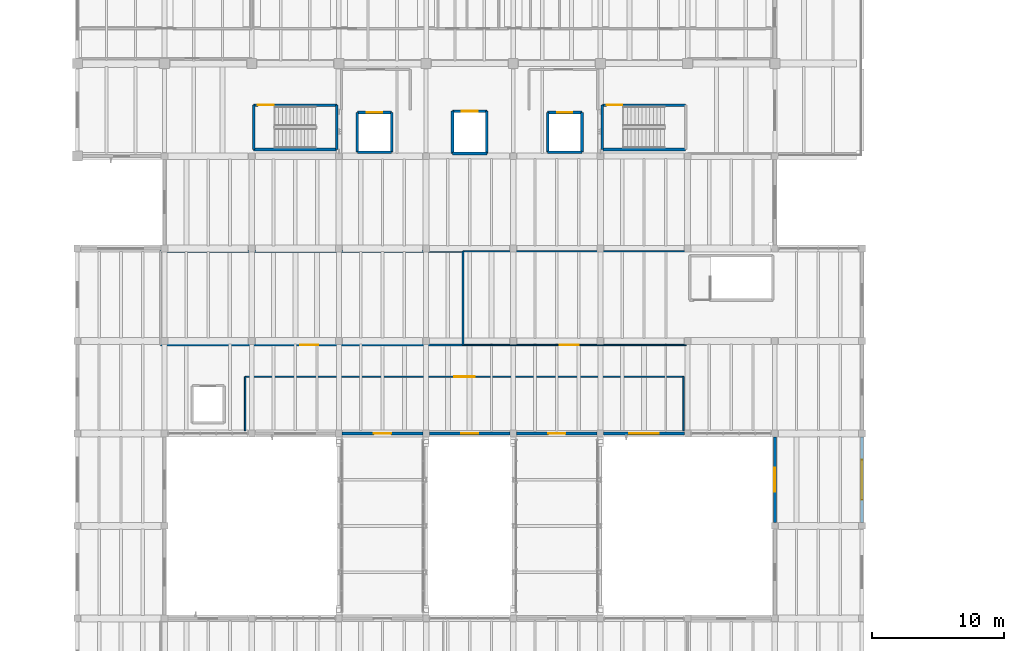
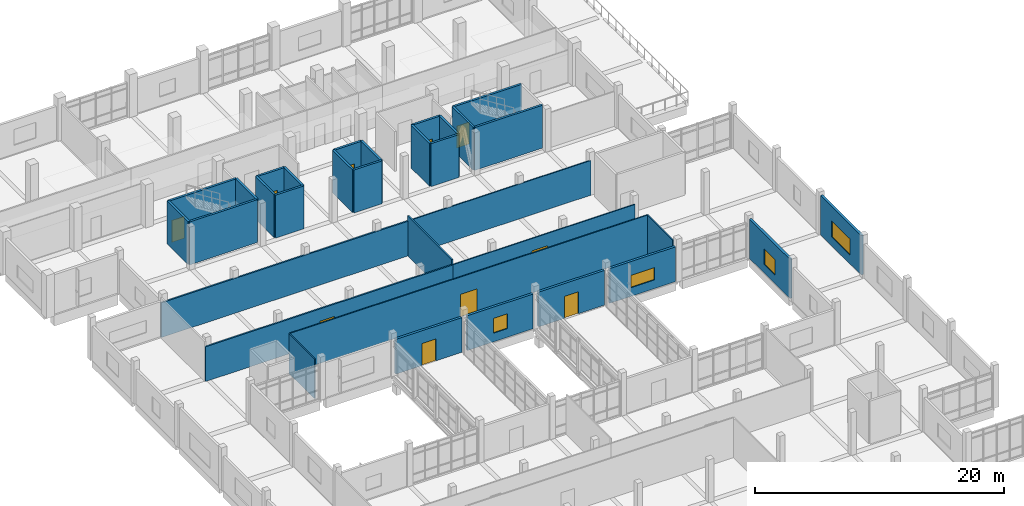
# One storey, part 51 of 65: 33 walls, 10 doors, 4 windows, 14 openings.
"""IFC4 building model written with IfcOpenShell, lengths in metres."""

from ifc_helpers import new_model, si_unit, direction, frame, frame_2d, origin, place, context, subcontext, project, spatial, rectangle, extrude, material, layer, layer_set, type_object, element, fill, save


model = new_model("IFC4")

# Units and contexts
model_context = context("Model", 3, precision=1e-05, world=origin(), true_north=direction((0.0, 1.0)))
body_context = subcontext(model_context, "Body", "Model", "MODEL_VIEW")
ifc_project = project(units=[si_unit("LENGTHUNIT", "METRE"), si_unit("AREAUNIT", "SQUARE_METRE"), si_unit("VOLUMEUNIT", "CUBIC_METRE"), si_unit("PLANEANGLEUNIT", "RADIAN"), si_unit("MASSUNIT", "GRAM", prefix="KILO")], contexts=[model_context])

# Site, building, storey
site_placement = place(None, origin())
site = spatial("IfcSite", under=ifc_project, at=site_placement, CompositionType="ELEMENT")
building_placement = place(site_placement, origin())
building = spatial("IfcBuilding", under=site, at=building_placement, Name="Ciguamira Faculty of Natural Sciences", CompositionType="ELEMENT")
storey_placement = place(building_placement, frame((0.0, 0.0, 12.60009765625)))
storey = spatial("IfcBuildingStorey", under=building, at=storey_placement, Name="L03", CompositionType="ELEMENT", Elevation=12.60009765625)

# Wall, opening, door
ifc_material_1 = material(Name="Precast concrete C40/50", Category="concrete")
ifc_layer_1 = layer(ifc_material_1, 0.219970703125, Name="Precast concrete C40/50")
ifc_layer_set_1 = layer_set([ifc_layer_1], Name="Precast concrete C40/50")
wall_type_1 = type_object("IfcWallType", Name="ExtWall_EW-03_220", PredefinedType="SOLIDWALL", material=ifc_layer_set_1)
wall_1_placement = place(storey_placement, frame((77.35009765625, 73.0, 0.0), z_axis=(0.0, 0.0, 1.0), x_axis=(1.0, 0.0, 0.0)))
wall_1 = element("IfcWall", 1, at=wall_1_placement, inside=storey, type_object=wall_type_1, Name="L03 exterior wall 0277", PredefinedType="SOLIDWALL", context=body_context, shape_type="SweptSolid", body=[
    extrude(rectangle(XDim=6.099853515625, YDim=0.219970703125, at=frame_2d((3.0498046875, 0.0))), origin(), (0.0, 0.0, 1.0), 3.40478515625),
])
opening_1_placement = place(wall_1_placement, frame((2.39990234375, 0.0, 0.0)))
opening_1 = element("IfcOpeningElement", 2, at=opening_1_placement, cuts=wall_1, Name="Opening ED-08", PredefinedType="OPENING", context=body_context, shape_type="SweptSolid", body=[
    extrude(rectangle(XDim=1.300048828125, YDim=2.14990234375, at=frame_2d((0.64990234375, 1.074951171875))), frame((0.0, 0.119873046875, 0.0), z_axis=(0.0, -1.0, 0.0), x_axis=(1.0, 0.0, 0.0)), (0.0, 0.0, 1.0), 0.239990234375),
])
ifc_material_2 = material(Name="Link bridge fire threshold door")
door_type_1 = type_object("IfcDoorType", Name="ExtDoor_ED-08_1300x2150", OperationType="NOTDEFINED", PredefinedType="DOOR", material=ifc_material_2)
door_1_placement = place(opening_1_placement, frame((1.300048828125, 0.0, 0.0), z_axis=(0.0, 0.0, 1.0), x_axis=(-1.0, 0.0, 0.0)))
door_1 = element("IfcDoor", 3, at=door_1_placement, inside=storey, type_object=door_type_1, Name="Bridge BR-3 North Threshold Door", OperationType="DOUBLE_DOOR_SINGLE_SWING", OverallHeight=2.14990234375, OverallWidth=1.300048828125, PredefinedType="DOOR", context=body_context, shape_type="SweptSolid", body=[
    extrude(rectangle(XDim=1.300048828125, YDim=2.14990234375, at=frame_2d((0.64990234375, 1.074951171875))), frame((0.0, 0.02490234375, 0.0), z_axis=(0.0, -1.0, 0.0), x_axis=(1.0, 0.0, 0.0)), (0.0, 0.0, 1.0), 0.050048828125),
])
fill(opening_1, door_1)

# Wall, opening, window
wall_2_placement = place(storey_placement, frame((83.949951171875, 73.0, 0.0), z_axis=(0.0, 0.0, 1.0), x_axis=(1.0, 0.0, 0.0)))
wall_2 = element("IfcWall", 4, at=wall_2_placement, inside=storey, type_object=wall_type_1, Name="L03 exterior wall 0278", PredefinedType="SOLIDWALL", context=body_context, shape_type="SweptSolid", body=[
    extrude(rectangle(XDim=6.10009765625, YDim=0.219970703125, at=frame_2d((3.050048828125, 0.0))), origin(), (0.0, 0.0, 1.0), 3.40478515625),
])
opening_2_placement = place(wall_2_placement, frame((2.39990234375, 0.0, 0.85009765625)))
opening_2 = element("IfcOpeningElement", 5, at=opening_2_placement, cuts=wall_2, Name="Opening WT-28", PredefinedType="OPENING", context=body_context, shape_type="SweptSolid", body=[
    extrude(rectangle(XDim=1.300048828125, YDim=1.449951171875, at=frame_2d((0.64990234375, 0.72509765625))), frame((0.0, 0.119873046875, 0.0), z_axis=(0.0, -1.0, 0.0), x_axis=(1.0, 0.0, 0.0)), (0.0, 0.0, 1.0), 0.239990234375),
])
ifc_material_3 = material(Name="Hurricane laminated solar glass", Category="glass")
window_type_1 = type_object("IfcWindowType", Name="Window_WT-28_1300x1450", PartitioningType="DOUBLE_PANEL_VERTICAL", PredefinedType="WINDOW", material=ifc_material_3)
window_1_placement = place(opening_2_placement, origin())
window_1 = element("IfcWindow", 6, at=window_1_placement, inside=storey, type_object=window_type_1, Name="L03 facade window 0175", OverallHeight=1.449951171875, OverallWidth=1.300048828125, PartitioningType="SINGLE_PANEL", PredefinedType="WINDOW", context=body_context, shape_type="SweptSolid", body=[
    extrude(rectangle(XDim=1.300048828125, YDim=1.449951171875, at=frame_2d((0.64990234375, 0.72509765625))), frame((0.0, 0.030029296875, 0.0), z_axis=(0.0, -1.0, 0.0), x_axis=(1.0, 0.0, 0.0)), (0.0, 0.0, 1.0), 0.06005859375),
])
fill(opening_2, window_1)

# Wall, opening, door
wall_3_placement = place(storey_placement, frame((90.550048828125, 73.0, 0.0), z_axis=(0.0, 0.0, 1.0), x_axis=(1.0, 0.0, 0.0)))
wall_3 = element("IfcWall", 7, at=wall_3_placement, inside=storey, type_object=wall_type_1, Name="L03 exterior wall 0279", PredefinedType="SOLIDWALL", context=body_context, shape_type="SweptSolid", body=[
    extrude(rectangle(XDim=6.099853515625, YDim=0.219970703125, at=frame_2d((3.0498046875, 0.0))), origin(), (0.0, 0.0, 1.0), 3.40478515625),
])
opening_3_placement = place(wall_3_placement, frame((2.39990234375, 0.0, 0.0)))
opening_3 = element("IfcOpeningElement", 8, at=opening_3_placement, cuts=wall_3, Name="Opening ED-08", PredefinedType="OPENING", context=body_context, shape_type="SweptSolid", body=[
    extrude(rectangle(XDim=1.300048828125, YDim=2.14990234375, at=frame_2d((0.64990234375, 1.074951171875))), frame((0.0, 0.119873046875, 0.0), z_axis=(0.0, -1.0, 0.0), x_axis=(1.0, 0.0, 0.0)), (0.0, 0.0, 1.0), 0.239990234375),
])
door_2_placement = place(opening_3_placement, frame((1.300048828125, 0.0, 0.0), z_axis=(0.0, 0.0, 1.0), x_axis=(-1.0, 0.0, 0.0)))
door_2 = element("IfcDoor", 9, at=door_2_placement, inside=storey, type_object=door_type_1, Name="Bridge BR-4 North Threshold Door", OperationType="DOUBLE_DOOR_SINGLE_SWING", OverallHeight=2.14990234375, OverallWidth=1.300048828125, PredefinedType="DOOR", context=body_context, shape_type="SweptSolid", body=[
    extrude(rectangle(XDim=1.300048828125, YDim=2.14990234375, at=frame_2d((0.64990234375, 1.074951171875))), frame((0.0, 0.02490234375, 0.0), z_axis=(0.0, -1.0, 0.0), x_axis=(1.0, 0.0, 0.0)), (0.0, 0.0, 1.0), 0.050048828125),
])
fill(opening_3, door_2)

# Wall, opening, window
wall_4_placement = place(storey_placement, frame((97.14990234375, 73.0, 0.0), z_axis=(0.0, 0.0, 1.0), x_axis=(1.0, 0.0, 0.0)))
wall_4 = element("IfcWall", 10, at=wall_4_placement, inside=storey, type_object=wall_type_1, Name="L03 exterior wall 0280", PredefinedType="SOLIDWALL", context=body_context, shape_type="SweptSolid", body=[
    extrude(rectangle(XDim=6.10009765625, YDim=0.219970703125, at=frame_2d((3.050048828125, 0.0))), origin(), (0.0, 0.0, 1.0), 3.40478515625),
])
opening_4_placement = place(wall_4_placement, frame((1.949951171875, 0.0, 0.85009765625)))
opening_4 = element("IfcOpeningElement", 11, at=opening_4_placement, cuts=wall_4, Name="Opening WT-31", PredefinedType="OPENING", context=body_context, shape_type="SweptSolid", body=[
    extrude(rectangle(XDim=2.199951171875, YDim=1.199951171875, at=frame_2d((1.10009765625, 0.60009765625))), frame((0.0, 0.119873046875, 0.0), z_axis=(0.0, -1.0, 0.0), x_axis=(1.0, 0.0, 0.0)), (0.0, 0.0, 1.0), 0.239990234375),
])
window_type_2 = type_object("IfcWindowType", Name="Window_WT-31_2200x1200", PartitioningType="DOUBLE_PANEL_VERTICAL", PredefinedType="WINDOW", material=ifc_material_3)
window_2_placement = place(opening_4_placement, origin())
window_2 = element("IfcWindow", 12, at=window_2_placement, inside=storey, type_object=window_type_2, Name="L03 facade window 0176", OverallHeight=1.199951171875, OverallWidth=2.199951171875, PartitioningType="SINGLE_PANEL", PredefinedType="WINDOW", context=body_context, shape_type="SweptSolid", body=[
    extrude(rectangle(XDim=2.199951171875, YDim=1.199951171875, at=frame_2d((1.10009765625, 0.60009765625))), frame((0.0, 0.030029296875, 0.0), z_axis=(0.0, -1.0, 0.0), x_axis=(1.0, 0.0, 0.0)), (0.0, 0.0, 1.0), 0.06005859375),
])
fill(opening_4, window_2)

wall_5_placement = place(storey_placement, frame((110.10009765625, 66.25, 0.0), z_axis=(0.0, 0.0, 1.0), x_axis=(0.0, 1.0, 0.0)))
wall_5 = element("IfcWall", 13, at=wall_5_placement, inside=storey, type_object=wall_type_1, Name="L03 exterior wall 0306", PredefinedType="SOLIDWALL", context=body_context, shape_type="SweptSolid", body=[
    extrude(rectangle(XDim=6.5, YDim=0.219970703125, at=frame_2d((3.25, 0.0))), origin(), (0.0, 0.0, 1.0), 3.849853515625),
])
opening_5_placement = place(wall_5_placement, frame((2.35009765625, 0.0, 0.85009765625)))
opening_5 = element("IfcOpeningElement", 14, at=opening_5_placement, cuts=wall_5, Name="Opening WT-10", PredefinedType="OPENING", context=body_context, shape_type="SweptSolid", body=[
    extrude(rectangle(XDim=1.800048828125, YDim=1.5, at=frame_2d((0.89990234375, 0.75))), frame((0.0, 0.119873046875, 0.0), z_axis=(0.0, -1.0, 0.0), x_axis=(1.0, 0.0, 0.0)), (0.0, 0.0, 1.0), 0.239990234375),
])
window_type_3 = type_object("IfcWindowType", Name="Window_WT-10_1800x1500", PartitioningType="DOUBLE_PANEL_VERTICAL", PredefinedType="WINDOW", material=ifc_material_3)
window_3_placement = place(opening_5_placement, origin())
window_3 = element("IfcWindow", 15, at=window_3_placement, inside=storey, type_object=window_type_3, Name="L03 facade window 0201", OverallHeight=1.5, OverallWidth=1.800048828125, PartitioningType="SINGLE_PANEL", PredefinedType="WINDOW", context=body_context, shape_type="SweptSolid", body=[
    extrude(rectangle(XDim=1.800048828125, YDim=1.5, at=frame_2d((0.89990234375, 0.75))), frame((0.0, 0.030029296875, 0.0), z_axis=(0.0, -1.0, 0.0), x_axis=(1.0, 0.0, 0.0)), (0.0, 0.0, 1.0), 0.06005859375),
])
fill(opening_5, window_3)

wall_6_placement = place(storey_placement, frame((116.699951171875, 66.25, 0.0), z_axis=(0.0, 0.0, 1.0), x_axis=(0.0, 1.0, 0.0)))
wall_6 = element("IfcWall", 16, at=wall_6_placement, inside=storey, type_object=wall_type_1, Name="L03 exterior wall 0314", PredefinedType="SOLIDWALL", context=body_context, shape_type="SweptSolid", body=[
    extrude(rectangle(XDim=6.5, YDim=0.219970703125, at=frame_2d((3.25, 0.0))), origin(), (0.0, 0.0, 1.0), 3.849853515625),
])
opening_6_placement = place(wall_6_placement, frame((1.75, 0.0, 0.85009765625)))
opening_6 = element("IfcOpeningElement", 17, at=opening_6_placement, cuts=wall_6, Name="Opening WT-25", PredefinedType="OPENING", context=body_context, shape_type="SweptSolid", body=[
    extrude(rectangle(XDim=3.0, YDim=1.60009765625, at=frame_2d((1.5, 0.800048828125))), frame((0.0, 0.119873046875, 0.0), z_axis=(0.0, -1.0, 0.0), x_axis=(1.0, 0.0, 0.0)), (0.0, 0.0, 1.0), 0.239990234375),
])
window_type_4 = type_object("IfcWindowType", Name="Window_WT-25_3000x1600", PartitioningType="DOUBLE_PANEL_VERTICAL", PredefinedType="WINDOW", material=ifc_material_3)
window_4_placement = place(opening_6_placement, origin())
window_4 = element("IfcWindow", 18, at=window_4_placement, inside=storey, type_object=window_type_4, Name="L03 facade window 0208", OverallHeight=1.60009765625, OverallWidth=3.0, PartitioningType="SINGLE_PANEL", PredefinedType="WINDOW", context=body_context, shape_type="SweptSolid", body=[
    extrude(rectangle(XDim=3.0, YDim=1.60009765625, at=frame_2d((1.5, 0.800048828125))), frame((0.0, 0.030029296875, 0.0), z_axis=(0.0, -1.0, 0.0), x_axis=(1.0, 0.0, 0.0)), (0.0, 0.0, 1.0), 0.06005859375),
])
fill(opening_6, window_4)

# Wall
ifc_material_4 = material(Name="Concrete C40/50", Category="concrete")
ifc_layer_2 = layer(ifc_material_4, 0.199951171875, Name="Concrete C40/50")
ifc_layer_set_2 = layer_set([ifc_layer_2], Name="Concrete C40/50")
wall_type_2 = type_object("IfcWallType", Name="IntWall_CW-S20_200", PredefinedType="SHEAR", material=ifc_layer_set_2)
wall_7_placement = place(storey_placement, frame((70.64990234375, 94.5, 0.0), z_axis=(0.0, 0.0, 1.0), x_axis=(1.0, 0.0, 0.0)))
element("IfcWall", 19, at=wall_7_placement, inside=storey, type_object=wall_type_2, Name="L03 ST-T1 core shear wall south", PredefinedType="SHEAR", context=body_context, shape_type="SweptSolid", body=[
    extrude(rectangle(XDim=6.300048828125, YDim=0.199951171875, at=frame_2d((3.14990234375, 0.0))), origin(), (0.0, 0.0, 1.0), 4.199951171875),
])

# Wall, opening, door
wall_8_placement = place(storey_placement, frame((70.64990234375, 97.860107421875, 0.0), z_axis=(0.0, 0.0, 1.0), x_axis=(1.0, 0.0, 0.0)))
wall_8 = element("IfcWall", 20, at=wall_8_placement, inside=storey, type_object=wall_type_2, Name="L03 ST-T1 core shear wall north", PredefinedType="SHEAR", context=body_context, shape_type="SweptSolid", body=[
    extrude(rectangle(XDim=6.300048828125, YDim=0.199951171875, at=frame_2d((3.14990234375, 0.0))), origin(), (0.0, 0.0, 1.0), 4.199951171875),
])
opening_7_placement = place(wall_8_placement, frame((0.320068359375, 0.0, 0.0)))
opening_7 = element("IfcOpeningElement", 21, at=opening_7_placement, cuts=wall_8, Name="Opening ID-14", PredefinedType="OPENING", context=body_context, shape_type="SweptSolid", body=[
    extrude(rectangle(XDim=1.199951171875, YDim=2.14990234375, at=frame_2d((0.60009765625, 1.074951171875))), frame((0.0, 0.10986328125, 0.0), z_axis=(0.0, -1.0, 0.0), x_axis=(1.0, 0.0, 0.0)), (0.0, 0.0, 1.0), 0.219970703125),
])
ifc_material_5 = material(Name="Protected exit stair fire door")
door_type_2 = type_object("IfcDoorType", Name="IntDoor_ID-14_1200x2150", OperationType="NOTDEFINED", PredefinedType="DOOR", material=ifc_material_5)
door_3_placement = place(opening_7_placement, frame((1.199951171875, 0.0, 0.0), z_axis=(0.0, 0.0, 1.0), x_axis=(-1.0, 0.0, 0.0)))
door_3 = element("IfcDoor", 22, at=door_3_placement, inside=storey, type_object=door_type_2, Name="L03 ST-T1 exit stair fire door", OperationType="SINGLE_SWING_LEFT", OverallHeight=2.14990234375, OverallWidth=1.199951171875, PredefinedType="DOOR", context=body_context, shape_type="SweptSolid", body=[
    extrude(rectangle(XDim=1.199951171875, YDim=2.14990234375, at=frame_2d((0.60009765625, 1.074951171875))), frame((0.0, 0.02490234375, 0.0), z_axis=(0.0, -1.0, 0.0), x_axis=(1.0, 0.0, 0.0)), (0.0, 0.0, 1.0), 0.050048828125),
])
fill(opening_7, door_3)

# Walls
for number, where, z_axis, x_axis, name in (
    (23, (70.64990234375, 94.5, 0.0), (0.0, 0.0, 1.0), (0.0, 1.0, 0.0), "L03 ST-T1 core shear wall west"),
    (24, (76.949951171875, 94.5, 0.0), (0.0, 0.0, 1.0), (0.0, 1.0, 0.0), "L03 ST-T1 core shear wall east"),
):
    element("IfcWall", number, at=place(storey_placement, frame(where, z_axis=z_axis, x_axis=x_axis)), inside=storey, type_object=wall_type_2, Name=name, PredefinedType="SHEAR", context=body_context, shape_type="SweptSolid", body=[
        extrude(rectangle(XDim=3.360107421875, YDim=0.199951171875, at=frame_2d((1.68017578125, 0.0))), origin(), (0.0, 0.0, 1.0), 4.199951171875),
    ])
wall_9_placement = place(storey_placement, frame((97.050048828125, 94.5, 0.0), z_axis=(0.0, 0.0, 1.0), x_axis=(1.0, 0.0, 0.0)))
element("IfcWall", 25, at=wall_9_placement, inside=storey, type_object=wall_type_2, Name="L03 ST-T2 core shear wall south", PredefinedType="SHEAR", context=body_context, shape_type="SweptSolid", body=[
    extrude(rectangle(XDim=6.300048828125, YDim=0.199951171875, at=frame_2d((3.14990234375, 0.0))), origin(), (0.0, 0.0, 1.0), 4.199951171875),
])

# Wall, opening, door
wall_10_placement = place(storey_placement, frame((97.050048828125, 97.860107421875, 0.0), z_axis=(0.0, 0.0, 1.0), x_axis=(1.0, 0.0, 0.0)))
wall_10 = element("IfcWall", 26, at=wall_10_placement, inside=storey, type_object=wall_type_2, Name="L03 ST-T2 core shear wall north", PredefinedType="SHEAR", context=body_context, shape_type="SweptSolid", body=[
    extrude(rectangle(XDim=6.300048828125, YDim=0.199951171875, at=frame_2d((3.14990234375, 0.0))), origin(), (0.0, 0.0, 1.0), 4.199951171875),
])
opening_8_placement = place(wall_10_placement, frame((0.320068359375, 0.0, 0.0)))
opening_8 = element("IfcOpeningElement", 27, at=opening_8_placement, cuts=wall_10, Name="Opening ID-14", PredefinedType="OPENING", context=body_context, shape_type="SweptSolid", body=[
    extrude(rectangle(XDim=1.199951171875, YDim=2.14990234375, at=frame_2d((0.60009765625, 1.074951171875))), frame((0.0, 0.10986328125, 0.0), z_axis=(0.0, -1.0, 0.0), x_axis=(1.0, 0.0, 0.0)), (0.0, 0.0, 1.0), 0.219970703125),
])
door_4_placement = place(opening_8_placement, frame((1.199951171875, 0.0, 0.0), z_axis=(0.0, 0.0, 1.0), x_axis=(-1.0, 0.0, 0.0)))
door_4 = element("IfcDoor", 28, at=door_4_placement, inside=storey, type_object=door_type_2, Name="L03 ST-T2 exit stair fire door", OperationType="SINGLE_SWING_RIGHT", OverallHeight=2.14990234375, OverallWidth=1.199951171875, PredefinedType="DOOR", context=body_context, shape_type="SweptSolid", body=[
    extrude(rectangle(XDim=1.199951171875, YDim=2.14990234375, at=frame_2d((0.60009765625, 1.074951171875))), frame((0.0, 0.02490234375, 0.0), z_axis=(0.0, -1.0, 0.0), x_axis=(1.0, 0.0, 0.0)), (0.0, 0.0, 1.0), 0.050048828125),
])
fill(opening_8, door_4)

# Walls
wall_11_placement = place(storey_placement, frame((97.050048828125, 94.5, 0.0), z_axis=(0.0, 0.0, 1.0), x_axis=(0.0, 1.0, 0.0)))
element("IfcWall", 29, at=wall_11_placement, inside=storey, type_object=wall_type_2, Name="L03 ST-T2 core shear wall west", PredefinedType="SHEAR", context=body_context, shape_type="SweptSolid", body=[
    extrude(rectangle(XDim=3.360107421875, YDim=0.199951171875, at=frame_2d((1.68017578125, 0.0))), origin(), (0.0, 0.0, 1.0), 4.199951171875),
])
wall_12_placement = place(storey_placement, frame((78.5, 94.300048828125, 0.0), z_axis=(0.0, 0.0, 1.0), x_axis=(1.0, 0.0, 0.0)))
element("IfcWall", 30, at=wall_12_placement, inside=storey, type_object=wall_type_2, Name="L03 EL-FF1 hoistway wall south", PredefinedType="SHEAR", context=body_context, shape_type="SweptSolid", body=[
    extrude(rectangle(XDim=2.60009765625, YDim=0.199951171875, at=frame_2d((1.300048828125, 0.0))), origin(), (0.0, 0.0, 1.0), 4.199951171875),
])

# Wall, opening, door
wall_13_placement = place(storey_placement, frame((78.5, 97.300048828125, 0.0), z_axis=(0.0, 0.0, 1.0), x_axis=(1.0, 0.0, 0.0)))
wall_13 = element("IfcWall", 31, at=wall_13_placement, inside=storey, type_object=wall_type_2, Name="L03 EL-FF1 hoistway wall north", PredefinedType="SHEAR", context=body_context, shape_type="SweptSolid", body=[
    extrude(rectangle(XDim=2.60009765625, YDim=0.199951171875, at=frame_2d((1.300048828125, 0.0))), origin(), (0.0, 0.0, 1.0), 4.199951171875),
])
opening_9_placement = place(wall_13_placement, frame((0.72509765625, 0.0, 0.0)))
opening_9 = element("IfcOpeningElement", 32, at=opening_9_placement, cuts=wall_13, Name="Opening LD-03", PredefinedType="OPENING", context=body_context, shape_type="SweptSolid", body=[
    extrude(rectangle(XDim=1.14990234375, YDim=2.199951171875, at=frame_2d((0.574951171875, 1.10009765625))), frame((0.0, 0.10986328125, 0.0), z_axis=(0.0, -1.0, 0.0), x_axis=(1.0, 0.0, 0.0)), (0.0, 0.0, 1.0), 0.219970703125),
])
ifc_material_6 = material(Name="Firefighting lift sliding landing door")
door_type_3 = type_object("IfcDoorType", Name="LiftLandingDoor_LD-03_1150x2200", OperationType="SLIDING_TO_LEFT", PredefinedType="DOOR", material=ifc_material_6)
door_5_placement = place(opening_9_placement, origin())
door_5 = element("IfcDoor", 33, at=door_5_placement, inside=storey, type_object=door_type_3, Name="L03 EL-FF1 elevator landing sliding door", OperationType="SLIDING_TO_LEFT", OverallHeight=2.199951171875, OverallWidth=1.14990234375, PredefinedType="DOOR", context=body_context, shape_type="SweptSolid", body=[
    extrude(rectangle(XDim=1.14990234375, YDim=2.199951171875, at=frame_2d((0.574951171875, 1.10009765625))), frame((0.0, 0.02490234375, 0.0), z_axis=(0.0, -1.0, 0.0), x_axis=(1.0, 0.0, 0.0)), (0.0, 0.0, 1.0), 0.050048828125),
])
fill(opening_9, door_5)

# Walls
for number, where, z_axis, x_axis, name in (
    (34, (78.5, 94.300048828125, 0.0), (0.0, 0.0, 1.0), (0.0, 1.0, 0.0), "L03 EL-FF1 hoistway wall west"),
    (35, (81.10009765625, 94.300048828125, 0.0), (0.0, 0.0, 1.0), (0.0, 1.0, 0.0), "L03 EL-FF1 hoistway wall east"),
):
    element("IfcWall", number, at=place(storey_placement, frame(where, z_axis=z_axis, x_axis=x_axis)), inside=storey, type_object=wall_type_2, Name=name, PredefinedType="SHEAR", context=body_context, shape_type="SweptSolid", body=[
        extrude(rectangle(XDim=3.0, YDim=0.199951171875, at=frame_2d((1.5, 0.0))), origin(), (0.0, 0.0, 1.0), 4.199951171875),
    ])
wall_14_placement = place(storey_placement, frame((92.89990234375, 94.300048828125, 0.0), z_axis=(0.0, 0.0, 1.0), x_axis=(1.0, 0.0, 0.0)))
element("IfcWall", 36, at=wall_14_placement, inside=storey, type_object=wall_type_2, Name="L03 EL-FF2 hoistway wall south", PredefinedType="SHEAR", context=body_context, shape_type="SweptSolid", body=[
    extrude(rectangle(XDim=2.60009765625, YDim=0.199951171875, at=frame_2d((1.300048828125, 0.0))), origin(), (0.0, 0.0, 1.0), 4.199951171875),
])

# Wall, opening, door
wall_15_placement = place(storey_placement, frame((92.89990234375, 97.300048828125, 0.0), z_axis=(0.0, 0.0, 1.0), x_axis=(1.0, 0.0, 0.0)))
wall_15 = element("IfcWall", 37, at=wall_15_placement, inside=storey, type_object=wall_type_2, Name="L03 EL-FF2 hoistway wall north", PredefinedType="SHEAR", context=body_context, shape_type="SweptSolid", body=[
    extrude(rectangle(XDim=2.60009765625, YDim=0.199951171875, at=frame_2d((1.300048828125, 0.0))), origin(), (0.0, 0.0, 1.0), 4.199951171875),
])
opening_10_placement = place(wall_15_placement, frame((0.72509765625, 0.0, 0.0)))
opening_10 = element("IfcOpeningElement", 38, at=opening_10_placement, cuts=wall_15, Name="Opening LD-03", PredefinedType="OPENING", context=body_context, shape_type="SweptSolid", body=[
    extrude(rectangle(XDim=1.14990234375, YDim=2.199951171875, at=frame_2d((0.574951171875, 1.10009765625))), frame((0.0, 0.10986328125, 0.0), z_axis=(0.0, -1.0, 0.0), x_axis=(1.0, 0.0, 0.0)), (0.0, 0.0, 1.0), 0.219970703125),
])
door_6_placement = place(opening_10_placement, origin())
door_6 = element("IfcDoor", 39, at=door_6_placement, inside=storey, type_object=door_type_3, Name="L03 EL-FF2 elevator landing sliding door", OperationType="SLIDING_TO_LEFT", OverallHeight=2.199951171875, OverallWidth=1.14990234375, PredefinedType="DOOR", context=body_context, shape_type="SweptSolid", body=[
    extrude(rectangle(XDim=1.14990234375, YDim=2.199951171875, at=frame_2d((0.574951171875, 1.10009765625))), frame((0.0, 0.02490234375, 0.0), z_axis=(0.0, -1.0, 0.0), x_axis=(1.0, 0.0, 0.0)), (0.0, 0.0, 1.0), 0.050048828125),
])
fill(opening_10, door_6)

# Walls
for number, where, z_axis, x_axis, name in (
    (40, (92.89990234375, 94.300048828125, 0.0), (0.0, 0.0, 1.0), (0.0, 1.0, 0.0), "L03 EL-FF2 hoistway wall west"),
    (41, (95.5, 94.300048828125, 0.0), (0.0, 0.0, 1.0), (0.0, 1.0, 0.0), "L03 EL-FF2 hoistway wall east"),
):
    element("IfcWall", number, at=place(storey_placement, frame(where, z_axis=z_axis, x_axis=x_axis)), inside=storey, type_object=wall_type_2, Name=name, PredefinedType="SHEAR", context=body_context, shape_type="SweptSolid", body=[
        extrude(rectangle(XDim=3.0, YDim=0.199951171875, at=frame_2d((1.5, 0.0))), origin(), (0.0, 0.0, 1.0), 4.199951171875),
    ])
wall_16_placement = place(storey_placement, frame((85.699951171875, 94.199951171875, 0.0), z_axis=(0.0, 0.0, 1.0), x_axis=(1.0, 0.0, 0.0)))
element("IfcWall", 42, at=wall_16_placement, inside=storey, type_object=wall_type_2, Name="L03 EL-P1 hoistway wall south", PredefinedType="SHEAR", context=body_context, shape_type="SweptSolid", body=[
    extrude(rectangle(XDim=2.60009765625, YDim=0.199951171875, at=frame_2d((1.300048828125, 0.0))), origin(), (0.0, 0.0, 1.0), 4.199951171875),
])

# Wall, opening, door
wall_17_placement = place(storey_placement, frame((85.699951171875, 97.39990234375, 0.0), z_axis=(0.0, 0.0, 1.0), x_axis=(1.0, 0.0, 0.0)))
wall_17 = element("IfcWall", 43, at=wall_17_placement, inside=storey, type_object=wall_type_2, Name="L03 EL-P1 hoistway wall north", PredefinedType="SHEAR", context=body_context, shape_type="SweptSolid", body=[
    extrude(rectangle(XDim=2.60009765625, YDim=0.199951171875, at=frame_2d((1.300048828125, 0.0))), origin(), (0.0, 0.0, 1.0), 4.199951171875),
])
opening_11_placement = place(wall_17_placement, frame((0.699951171875, 0.0, 0.0)))
opening_11 = element("IfcOpeningElement", 44, at=opening_11_placement, cuts=wall_17, Name="Opening LD-02", PredefinedType="OPENING", context=body_context, shape_type="SweptSolid", body=[
    extrude(rectangle(XDim=1.199951171875, YDim=2.199951171875, at=frame_2d((0.60009765625, 1.10009765625))), frame((0.0, 0.10986328125, 0.0), z_axis=(0.0, -1.0, 0.0), x_axis=(1.0, 0.0, 0.0)), (0.0, 0.0, 1.0), 0.219970703125),
])
ifc_material_7 = material(Name="Stretcher elevator sliding landing door")
door_type_4 = type_object("IfcDoorType", Name="LiftLandingDoor_LD-02_1200x2200", OperationType="SLIDING_TO_LEFT", PredefinedType="DOOR", material=ifc_material_7)
door_7_placement = place(opening_11_placement, origin())
door_7 = element("IfcDoor", 45, at=door_7_placement, inside=storey, type_object=door_type_4, Name="L03 EL-P1 elevator landing sliding door", OperationType="SLIDING_TO_LEFT", OverallHeight=2.199951171875, OverallWidth=1.199951171875, PredefinedType="DOOR", context=body_context, shape_type="SweptSolid", body=[
    extrude(rectangle(XDim=1.199951171875, YDim=2.199951171875, at=frame_2d((0.60009765625, 1.10009765625))), frame((0.0, 0.02490234375, 0.0), z_axis=(0.0, -1.0, 0.0), x_axis=(1.0, 0.0, 0.0)), (0.0, 0.0, 1.0), 0.050048828125),
])
fill(opening_11, door_7)

# Walls
for number, where, z_axis, x_axis, name in (
    (46, (85.699951171875, 94.199951171875, 0.0), (0.0, 0.0, 1.0), (0.0, 1.0, 0.0), "L03 EL-P1 hoistway wall west"),
    (47, (88.300048828125, 94.199951171875, 0.0), (0.0, 0.0, 1.0), (0.0, 1.0, 0.0), "L03 EL-P1 hoistway wall east"),
):
    element("IfcWall", number, at=place(storey_placement, frame(where, z_axis=z_axis, x_axis=x_axis)), inside=storey, type_object=wall_type_2, Name=name, PredefinedType="SHEAR", context=body_context, shape_type="SweptSolid", body=[
        extrude(rectangle(XDim=3.199951171875, YDim=0.199951171875, at=frame_2d((1.60009765625, 0.0))), origin(), (0.0, 0.0, 1.0), 4.199951171875),
    ])

# Wall, opening, door
ifc_material_8 = material(Name="Fire-rated gypsum partition")
ifc_layer_3 = layer(ifc_material_8, 0.10009765625, Name="Fire-rated gypsum partition")
ifc_layer_set_3 = layer_set([ifc_layer_3], Name="Fire-rated gypsum partition")
wall_type_3 = type_object("IfcWallType", Name="IntWall_IW-A10_100", PredefinedType="PARTITIONING", material=ifc_layer_set_3)
wall_18_placement = place(storey_placement, frame((86.5, 79.699951171875, 0.0), z_axis=(0.0, 0.0, 1.0), x_axis=(1.0, 0.0, 0.0)))
wall_18 = element("IfcWall", 48, at=wall_18_placement, inside=storey, type_object=wall_type_3, Name="L03 Optical Microscopy Instrument Room partition south", PredefinedType="PARTITIONING", context=body_context, shape_type="SweptSolid", body=[
    extrude(rectangle(XDim=16.89990234375, YDim=0.10009765625, at=frame_2d((8.449951171875, 0.0))), origin(), (0.0, 0.0, 1.0), 3.40478515625),
])
opening_12_placement = place(wall_18_placement, frame((7.324951171875, 0.0, 0.0)))
opening_12 = element("IfcOpeningElement", 49, at=opening_12_placement, cuts=wall_18, Name="Opening ID-08", PredefinedType="OPENING", context=body_context, shape_type="SweptSolid", body=[
    extrude(rectangle(XDim=1.449951171875, YDim=2.199951171875, at=frame_2d((0.72509765625, 1.10009765625))), frame((0.0, 0.06005859375, 0.0), z_axis=(0.0, -1.0, 0.0), x_axis=(1.0, 0.0, 0.0)), (0.0, 0.0, 1.0), 0.1201171875),
])
ifc_material_9 = material(Name="Wet chemistry laboratory door")
door_type_5 = type_object("IfcDoorType", Name="IntDoor_ID-08_1450x2200", OperationType="NOTDEFINED", PredefinedType="DOOR", material=ifc_material_9)
door_8_placement = place(opening_12_placement, origin())
door_8 = element("IfcDoor", 50, at=door_8_placement, inside=storey, type_object=door_type_5, Name="L03 Optical Microscopy Instrument Room door", OperationType="SINGLE_SWING_RIGHT", OverallHeight=2.199951171875, OverallWidth=1.449951171875, PredefinedType="DOOR", context=body_context, shape_type="SweptSolid", body=[
    extrude(rectangle(XDim=1.449951171875, YDim=2.199951171875, at=frame_2d((0.72509765625, 1.10009765625))), frame((0.0, 0.02490234375, 0.0), z_axis=(0.0, -1.0, 0.0), x_axis=(1.0, 0.0, 0.0)), (0.0, 0.0, 1.0), 0.050048828125),
])
fill(opening_12, door_8)

# Wall
wall_19_placement = place(storey_placement, frame((86.5, 86.800048828125, 0.0), z_axis=(0.0, 0.0, 1.0), x_axis=(1.0, 0.0, 0.0)))
element("IfcWall", 51, at=wall_19_placement, inside=storey, type_object=wall_type_3, Name="L03 Optical Microscopy Instrument Room partition north", PredefinedType="PARTITIONING", context=body_context, shape_type="SweptSolid", body=[
    extrude(rectangle(XDim=16.89990234375, YDim=0.10009765625, at=frame_2d((8.449951171875, 0.0))), origin(), (0.0, 0.0, 1.0), 3.40478515625),
])

# Wall, opening, door
wall_20_placement = place(storey_placement, frame((70.0, 77.300048828125, 0.0), z_axis=(0.0, 0.0, 1.0), x_axis=(1.0, 0.0, 0.0)))
wall_20 = element("IfcWall", 52, at=wall_20_placement, inside=storey, type_object=wall_type_3, Name="L03 L03 Court Overlook Write-Up Studio partition north", PredefinedType="PARTITIONING", context=body_context, shape_type="SweptSolid", body=[
    extrude(rectangle(XDim=33.199951171875, YDim=0.10009765625, at=frame_2d((16.60009765625, 0.0))), origin(), (0.0, 0.0, 1.0), 3.89990234375),
])
opening_13_placement = place(wall_20_placement, frame((15.824951171875, 0.0, 0.0)))
opening_13 = element("IfcOpeningElement", 53, at=opening_13_placement, cuts=wall_20, Name="Opening ID-09", PredefinedType="OPENING", context=body_context, shape_type="SweptSolid", body=[
    extrude(rectangle(XDim=1.550048828125, YDim=2.199951171875, at=frame_2d((0.77490234375, 1.10009765625))), frame((0.0, 0.06005859375, 0.0), z_axis=(0.0, -1.0, 0.0), x_axis=(1.0, 0.0, 0.0)), (0.0, 0.0, 1.0), 0.1201171875),
])
ifc_material_10 = material(Name="Teaching laboratory double door")
door_type_6 = type_object("IfcDoorType", Name="IntDoor_ID-09_1550x2200", OperationType="NOTDEFINED", PredefinedType="DOOR", material=ifc_material_10)
door_9_placement = place(opening_13_placement, frame((1.550048828125, 0.0, 0.0), z_axis=(0.0, 0.0, 1.0), x_axis=(-1.0, 0.0, 0.0)))
door_9 = element("IfcDoor", 54, at=door_9_placement, inside=storey, type_object=door_type_6, Name="L03 L03 Court Overlook Write-Up Studio door", OperationType="SINGLE_SWING_LEFT", OverallHeight=2.199951171875, OverallWidth=1.550048828125, PredefinedType="DOOR", context=body_context, shape_type="SweptSolid", body=[
    extrude(rectangle(XDim=1.550048828125, YDim=2.199951171875, at=frame_2d((0.77490234375, 1.10009765625))), frame((0.0, 0.02490234375, 0.0), z_axis=(0.0, -1.0, 0.0), x_axis=(1.0, 0.0, 0.0)), (0.0, 0.0, 1.0), 0.050048828125),
])
fill(opening_13, door_9)

# Walls
for number, where, z_axis, x_axis, name in (
    (55, (70.0, 73.199951171875, 0.0), (0.0, 0.0, 1.0), (0.0, 1.0, 0.0), "L03 L03 Court Overlook Write-Up Studio partition west"),
    (56, (103.199951171875, 73.199951171875, 0.0), (0.0, 0.0, 1.0), (0.0, 1.0, 0.0), "L03 L03 Court Overlook Write-Up Studio partition east"),
):
    element("IfcWall", number, at=place(storey_placement, frame(where, z_axis=z_axis, x_axis=x_axis)), inside=storey, type_object=wall_type_3, Name=name, PredefinedType="PARTITIONING", context=body_context, shape_type="SweptSolid", body=[
        extrude(rectangle(XDim=4.10009765625, YDim=0.10009765625, at=frame_2d((2.050048828125, 0.0))), origin(), (0.0, 0.0, 1.0), 3.89990234375),
    ])

# Wall, opening, door
ifc_material_11 = material(Name="Moisture-resistant service chase wall")
ifc_layer_4 = layer(ifc_material_11, 0.139892578125, Name="Moisture-resistant service chase wall")
ifc_layer_set_4 = layer_set([ifc_layer_4], Name="Moisture-resistant service chase wall")
wall_type_4 = type_object("IfcWallType", Name="IntWall_IW-P14_140", PredefinedType="PLUMBINGWALL", material=ifc_layer_set_4)
wall_21_placement = place(storey_placement, frame((63.60009765625, 79.699951171875, 0.0), z_axis=(0.0, 0.0, 1.0), x_axis=(1.0, 0.0, 0.0)))
wall_21 = element("IfcWall", 57, at=wall_21_placement, inside=storey, type_object=wall_type_4, Name="L03 North-Light Biochemistry Wave Laboratory partition south", PredefinedType="PLUMBINGWALL", context=body_context, shape_type="SweptSolid", body=[
    extrude(rectangle(XDim=22.89990234375, YDim=0.139892578125, at=frame_2d((11.449951171875, 0.0))), origin(), (0.0, 0.0, 1.0), 3.40478515625),
])
opening_14_placement = place(wall_21_placement, frame((10.574951171875, 0.0, 0.0)))
opening_14 = element("IfcOpeningElement", 58, at=opening_14_placement, cuts=wall_21, Name="Opening ID-07", PredefinedType="OPENING", context=body_context, shape_type="SweptSolid", body=[
    extrude(rectangle(XDim=1.35009765625, YDim=2.199951171875, at=frame_2d((0.675048828125, 1.10009765625))), frame((0.0, 0.079833984375, 0.0), z_axis=(0.0, -1.0, 0.0), x_axis=(1.0, 0.0, 0.0)), (0.0, 0.0, 1.0), 0.159912109375),
])
ifc_material_12 = material(Name="Laboratory prep fire door")
door_type_7 = type_object("IfcDoorType", Name="IntDoor_ID-07_1350x2200", OperationType="NOTDEFINED", PredefinedType="DOOR", material=ifc_material_12)
door_10_placement = place(opening_14_placement, origin())
door_10 = element("IfcDoor", 59, at=door_10_placement, inside=storey, type_object=door_type_7, Name="L03 North-Light Biochemistry Wave Laboratory door", OperationType="SINGLE_SWING_LEFT", OverallHeight=2.199951171875, OverallWidth=1.35009765625, PredefinedType="DOOR", context=body_context, shape_type="SweptSolid", body=[
    extrude(rectangle(XDim=1.35009765625, YDim=2.199951171875, at=frame_2d((0.675048828125, 1.10009765625))), frame((0.0, 0.02490234375, 0.0), z_axis=(0.0, -1.0, 0.0), x_axis=(1.0, 0.0, 0.0)), (0.0, 0.0, 1.0), 0.050048828125),
])
fill(opening_14, door_10)

# Walls
wall_22_placement = place(storey_placement, frame((63.60009765625, 86.800048828125, 0.0), z_axis=(0.0, 0.0, 1.0), x_axis=(1.0, 0.0, 0.0)))
element("IfcWall", 60, at=wall_22_placement, inside=storey, type_object=wall_type_4, Name="L03 North-Light Biochemistry Wave Laboratory partition north", PredefinedType="PLUMBINGWALL", context=body_context, shape_type="SweptSolid", body=[
    extrude(rectangle(XDim=22.89990234375, YDim=0.139892578125, at=frame_2d((11.449951171875, 0.0))), origin(), (0.0, 0.0, 1.0), 3.40478515625),
])
wall_23_placement = place(storey_placement, frame((86.5, 79.699951171875, 0.0), z_axis=(0.0, 0.0, 1.0), x_axis=(0.0, 1.0, 0.0)))
element("IfcWall", 61, at=wall_23_placement, inside=storey, type_object=wall_type_4, Name="L03 North-Light Biochemistry Wave Laboratory partition east", PredefinedType="PLUMBINGWALL", context=body_context, shape_type="SweptSolid", body=[
    extrude(rectangle(XDim=7.10009765625, YDim=0.139892578125, at=frame_2d((3.550048828125, 0.0))), origin(), (0.0, 0.0, 1.0), 3.89990234375),
])

save(model, "model.ifc")
